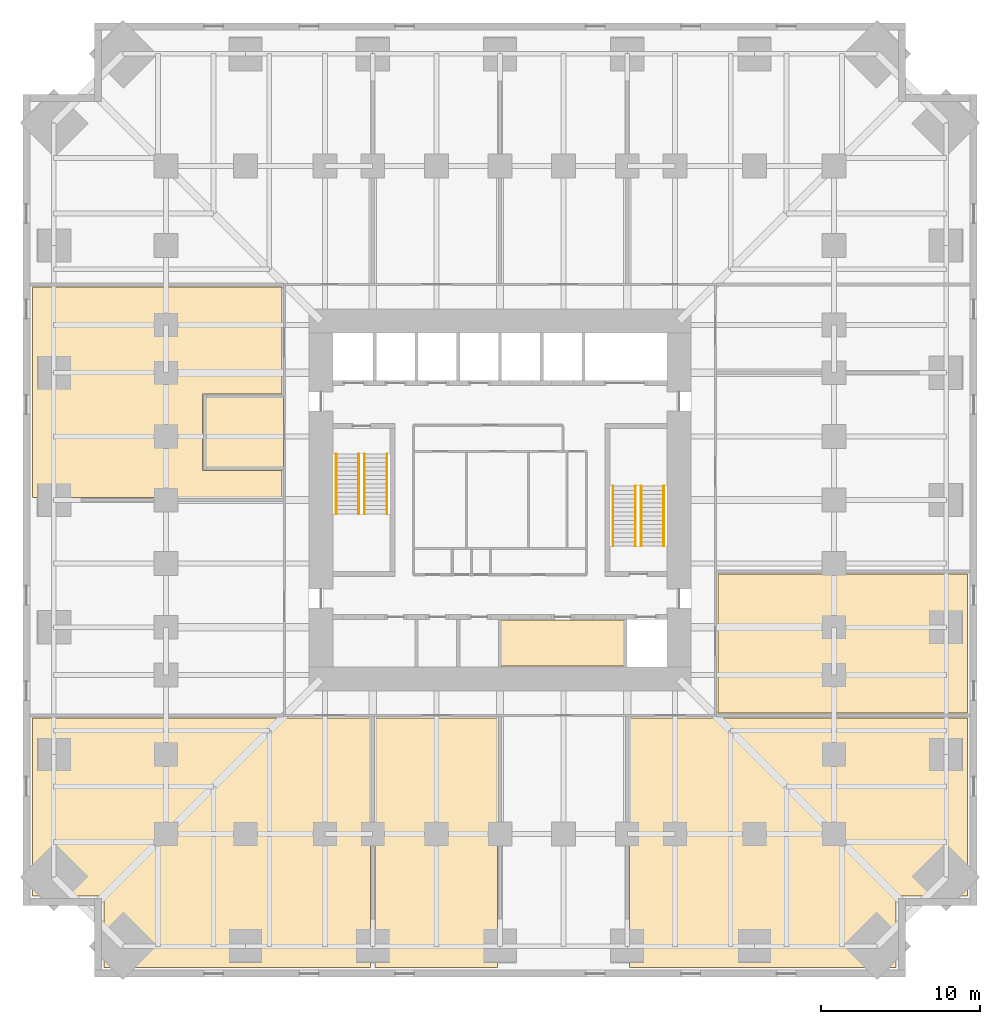
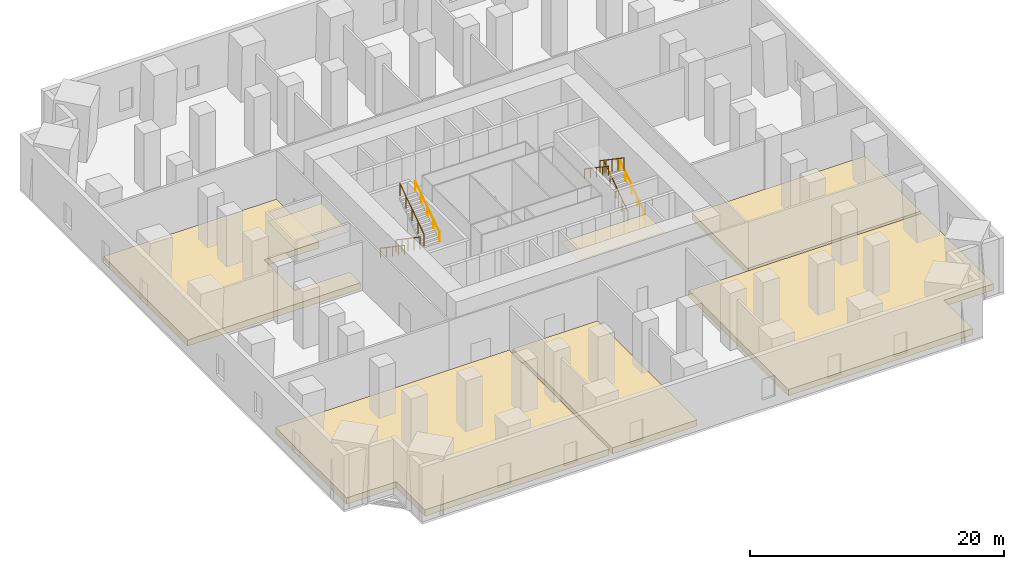
# One storey, part 8 of 8: 8 railings, 7 coverings.
"""IFC4 building model written with IfcOpenShell, lengths in metres."""

import ifcopenshell
import ifcopenshell.guid

model = None  # the IFC model being written
_history = None  # IfcOwnerHistory: only IFC2X3 demands one
_inside = {}  # id of a spatial element -> (the spatial element, [elements in it])
_under = {}  # id of a project, library or spatial element -> (it, [spatial elements below it])
_declared = {}  # id of a project -> (the project, [libraries it declares])
_typed = {}  # id of a type object -> (the type object, [elements of that type])
_made_of = {}  # id of a material, layer set ... -> (it, [elements and type objects made of it])


def new_model(schema):
    """Start an empty IFC model of exactly this schema.

    Asked for "IFC4X3", IfcOpenShell would pick the latest addendum, in which some entities
    have other attributes; the version numbers below select the first issue.
    IFC2X3 requires an IfcOwnerHistory on every rooted entity: one is made here for all.
    """
    global model, _history
    if schema == "IFC4X3":
        model = ifcopenshell.file(schema_version=(4, 3, 0, 0))
    else:
        model = ifcopenshell.file(schema=schema)
    _inside.clear()
    _under.clear()
    _declared.clear()
    _typed.clear()
    _made_of.clear()
    _history = None
    if model.schema == "IFC2X3":
        org = make("IfcOrganization", Name="unknown")
        user = make(
            "IfcPersonAndOrganization",
            ThePerson=make("IfcPerson", FamilyName="unknown"),
            TheOrganization=org,
        )
        app = make(
            "IfcApplication",
            ApplicationDeveloper=org,
            Version="unknown",
            ApplicationFullName="unknown",
            ApplicationIdentifier="unknown",
        )
        _history = make(
            "IfcOwnerHistory",
            OwningUser=user,
            OwningApplication=app,
            ChangeAction="ADDED",
            CreationDate=0,
        )
    return model


def make(cls, **values):
    """One entity of the class cls with the attributes given. An attribute that is None is left unset."""
    return model.create_entity(
        cls, **{name: value for name, value in values.items() if value is not None}
    )


def rooted(cls, **values):
    """An entity with a GlobalId (a new one), such as an element, a storey or a relation."""
    return make(cls, GlobalId=ifcopenshell.guid.new(), OwnerHistory=_history, **values)


def si_unit(unit_type, name, prefix=None):
    """IfcSIUnit, for example si_unit("LENGTHUNIT", "METRE", prefix="MILLI")."""
    return make("IfcSIUnit", UnitType=unit_type, Prefix=prefix, Name=name)


def assignment(units):
    """IfcUnitAssignment: the units of a project."""
    return None if units is None else make("IfcUnitAssignment", Units=units)


def point(xyz):
    """IfcCartesianPoint."""
    return None if xyz is None else make("IfcCartesianPoint", Coordinates=xyz)


def direction(xyz):
    """IfcDirection."""
    return None if xyz is None else make("IfcDirection", DirectionRatios=xyz)


def frame(location, z_axis=None, x_axis=None):
    """IfcAxis2Placement3D, a coordinate frame: its origin and axes. An axis left out is left unset."""
    return make(
        "IfcAxis2Placement3D",
        Location=point(location),
        Axis=direction(z_axis),
        RefDirection=direction(x_axis),
    )


def frame_2d(location, x_axis=None):
    """IfcAxis2Placement2D, a coordinate frame in the plane: its origin and x axis."""
    return make(
        "IfcAxis2Placement2D", Location=point(location), RefDirection=direction(x_axis)
    )


def origin():
    """The frame at (0, 0, 0) with its axes left unset."""
    return frame((0.0, 0.0, 0.0))


def origin_2d():
    """The frame at (0, 0) in the plane with its x axis left unset."""
    return frame_2d((0.0, 0.0))


def place(relative_to, where):
    """IfcLocalPlacement: puts the frame where relative to a parent placement (None: the world)."""
    return make(
        "IfcLocalPlacement", PlacementRelTo=relative_to, RelativePlacement=where
    )


def context(
    kind, dimensions, precision=None, world=None, true_north=None, identifier=None
):
    """IfcGeometricRepresentationContext, for example the 3D "Model" context."""
    return make(
        "IfcGeometricRepresentationContext",
        ContextIdentifier=identifier,
        ContextType=kind,
        CoordinateSpaceDimension=dimensions,
        Precision=precision,
        WorldCoordinateSystem=world,
        TrueNorth=true_north,
    )


def subcontext(parent, identifier, kind, view, scale=None):
    """IfcGeometricRepresentationSubContext, for example "Body" below "Model"."""
    return make(
        "IfcGeometricRepresentationSubContext",
        ContextIdentifier=identifier,
        ContextType=kind,
        ParentContext=parent,
        TargetScale=scale,
        TargetView=view,
    )


def project(units=None, contexts=None):
    """IfcProject with its units and contexts."""
    return rooted(
        "IfcProject",
        Name="project",
        RepresentationContexts=contexts,
        UnitsInContext=assignment(units),
    )


def spatial(cls, under=None, at=None, **own):
    """A site, building, storey or space (cls), placed at a placement, below another one or the project."""
    s = rooted(cls, ObjectPlacement=at, **own)
    if under is not None:
        _under.setdefault(under.id(), (under, []))[1].append(s)
    return s


def polyline(points):
    """IfcPolyline through the points."""
    return make("IfcPolyline", Points=[point(p) for p in points])


def profile(cls, at=None, kind="AREA", **sizes):
    """A parametric profile (cls). Its sizes go by their IFC names, for example OverallWidth=200.0."""
    return make(cls, ProfileType=kind, Position=at, **sizes)


def circle(**sizes):
    """IfcCircleProfileDef."""
    return profile("IfcCircleProfileDef", **sizes)


def outline(outer, holes=None, kind="AREA"):
    """IfcArbitraryClosedProfileDef: a profile drawn as a closed curve; with holes, ...WithVoids."""
    if holes is None:
        return make("IfcArbitraryClosedProfileDef", ProfileType=kind, OuterCurve=outer)
    return make(
        "IfcArbitraryProfileDefWithVoids",
        ProfileType=kind,
        OuterCurve=outer,
        InnerCurves=holes,
    )


def extrude(swept, where, along, depth):
    """IfcExtrudedAreaSolid: the profile swept, set in the frame where, extruded along a direction by depth."""
    return make(
        "IfcExtrudedAreaSolid",
        SweptArea=swept,
        Position=where,
        ExtrudedDirection=direction(along),
        Depth=depth,
    )


def shape(context_of_items, identifier, shape_type, items):
    """IfcShapeRepresentation: the items that make up one representation, for example the "Body"."""
    return make(
        "IfcShapeRepresentation",
        ContextOfItems=context_of_items,
        RepresentationIdentifier=identifier,
        RepresentationType=shape_type,
        Items=items,
    )


def material(Name=None, Category=None):
    """IfcMaterial."""
    return make("IfcMaterial", Name=Name, Category=Category)


def layer(
    of_material, thickness, ventilated=None, Name=None, Category=None, Priority=None
):
    """IfcMaterialLayer: one layer of a wall or slab, of a material (None: an air gap)."""
    return make(
        "IfcMaterialLayer",
        Material=of_material,
        LayerThickness=thickness,
        IsVentilated=ventilated,
        Name=Name,
        Category=Category,
        Priority=Priority,
    )


def layer_set(layers, Name=None):
    """IfcMaterialLayerSet."""
    return make("IfcMaterialLayerSet", MaterialLayers=layers, LayerSetName=Name)


def made_of(thing, what):
    """Note that an element or type object is made of a material, layer set ...; save() writes the relation."""
    if what is not None:
        _made_of.setdefault(what.id(), (what, []))[1].append(thing)
    return thing


def type_object(cls, material=None, **own):
    """A type object (cls), such as IfcWallType, which elements share."""
    return made_of(rooted(cls, **own), material)


def element(
    cls,
    number,
    at=None,
    inside=None,
    cuts=None,
    type_object=None,
    material=None,
    context=None,
    identifier="Body",
    shape_type=None,
    held_by="IfcProductDefinitionShape",
    body=None,
    shapes=None,
    **own,
):
    """One element of the class cls, such as IfcWall. Its Tag is "e" and its number.

    at: its placement. inside: the storey or other place that contains it. cuts: it is an
    opening in that element (IfcRelVoidsElement). A single representation is given by context,
    identifier, shape_type and body (its items); several are given by shapes. held_by: the class
    of the entity that holds the representations. save() writes the other relations.
    """
    e = rooted(cls, Tag="e%d" % number, ObjectPlacement=at, **own)
    if body is not None:
        shapes = [shape(context, identifier, shape_type, body)]
    if shapes is not None:
        e.Representation = make(held_by, Representations=shapes)
    if inside is not None:
        _inside.setdefault(inside.id(), (inside, []))[1].append(e)
    if cuts is not None:
        rooted(
            "IfcRelVoidsElement", RelatingBuildingElement=cuts, RelatedOpeningElement=e
        )
    if type_object is not None:
        _typed.setdefault(type_object.id(), (type_object, []))[1].append(e)
    return made_of(e, material)


def aggregate(whole, parts):
    """IfcRelAggregates: a whole, such as a stair, and the parts it consists of."""
    return rooted("IfcRelAggregates", RelatingObject=whole, RelatedObjects=parts)


def save(model, path):
    """Write the relations noted so far, then the file.

    IfcRelAggregates (storeys below a building ...), IfcRelContainedInSpatialStructure (elements
    in a storey), IfcRelDefinesByType, IfcRelAssociatesMaterial and IfcRelDeclares: one each for
    every whole, place, type object, material and project.
    """
    for whole, parts in _under.values():
        aggregate(whole, parts)
    for where, things in _inside.values():
        rooted(
            "IfcRelContainedInSpatialStructure",
            RelatedElements=things,
            RelatingStructure=where,
        )
    for kind, things in _typed.values():
        rooted("IfcRelDefinesByType", RelatedObjects=things, RelatingType=kind)
    for what, things in _made_of.values():
        rooted("IfcRelAssociatesMaterial", RelatedObjects=things, RelatingMaterial=what)
    for by, libraries in _declared.values():
        rooted("IfcRelDeclares", RelatingContext=by, RelatedDefinitions=libraries)
    model.write(path)


model = new_model("IFC4")

# Units and contexts
model_context = context("Model", 3, precision=1e-05, world=origin(), true_north=direction((0.0, 1.0)))
body_context = subcontext(model_context, "Body", "Model", "MODEL_VIEW")
ifc_project = project(units=[si_unit("LENGTHUNIT", "METRE"), si_unit("AREAUNIT", "SQUARE_METRE"), si_unit("VOLUMEUNIT", "CUBIC_METRE"), si_unit("PLANEANGLEUNIT", "RADIAN"), si_unit("MASSUNIT", "GRAM", prefix="KILO")], contexts=[model_context])

# Site, building, storey
site_placement = place(None, origin())
site = spatial("IfcSite", under=ifc_project, at=site_placement, CompositionType="ELEMENT")
building_placement = place(site_placement, origin())
building = spatial("IfcBuilding", under=site, at=building_placement, Name="Peilmerk Tower", CompositionType="ELEMENT")
storey_placement = place(building_placement, frame((0.0, 0.0, 70.5)))
storey = spatial("IfcBuildingStorey", under=building, at=storey_placement, Name="L13", CompositionType="ELEMENT", Elevation=70.5)

# Coverings
ifc_material_1 = material(Name="Mineral fibre ceiling tiles", Category="mineral")
ifc_layer_1 = layer(ifc_material_1, 0.02490234375)
ifc_layer_set_1 = layer_set([ifc_layer_1], Name="Mineral fibre ceiling tiles")
covering_type_1 = type_object("IfcCoveringType", Name="CL1 25 suspended ceiling", PredefinedType="CEILING", material=ifc_layer_set_1)
covering_1_placement = place(storey_placement, frame((0.0, 0.0, 4.324951171875)))
element("IfcCovering", 1, at=covering_1_placement, inside=storey, type_object=covering_type_1, Name="Suspended ceiling Operations office", PredefinedType="CEILING", context=body_context, shape_type="SweptSolid", body=[
    extrude(outline(polyline([(-13.60009765625, 2.050048828125), (-13.60009765625, 6.449951171875), (-18.5, 6.449951171875), (-18.5, 2.050048828125), (-13.60009765625, 2.050048828125)])), origin(), (0.0, 0.0, 1.0), 0.025146484375),
])
covering_2_placement = place(storey_placement, frame((0.0, 0.0, 4.324951171875)))
element("IfcCovering", 2, at=covering_2_placement, inside=storey, type_object=covering_type_1, Name="Suspended ceiling Back-of-house office", PredefinedType="CEILING", context=body_context, shape_type="SweptSolid", body=[
    extrude(outline(polyline([(0.051025390625, -10.448974609375), (7.823974609375, -10.448974609375), (7.823974609375, -7.551025390625), (0.051025390625, -7.551025390625), (0.051025390625, -10.448974609375)])), origin(), (0.0, 0.0, 1.0), 0.025146484375),
])

# Railings
ifc_material_2 = material(Name="Steel flat bar balustrade", Category="steel")
railing_type_1 = type_object("IfcRailingType", Name="GR1 1200 stair guard", PredefinedType="GUARDRAIL", material=ifc_material_2)
railing_1_placement = place(storey_placement, frame((-8.8798828125, 2.89990234375, 0.183349609375)))
element("IfcRailing", 3, at=railing_1_placement, inside=storey, type_object=railing_type_1, Name="Guard stair 1 L13", PredefinedType="GUARDRAIL", context=body_context, shape_type="SweptSolid", body=[
    extrude(circle(Radius=0.02392578125, at=origin_2d()), frame((0.0, 0.0, 1.17578125), z_axis=(0.0, -0.827293068839, 0.56177057439), x_axis=(1.0, 0.0, 0.0)), (0.0, 0.0, 1.0), 4.56884765625),
    extrude(circle(Radius=0.02099609375, at=origin_2d()), origin(), (0.0, 0.0, 1.0), 1.15185546875),
    extrude(circle(Radius=0.02099609375, at=origin_2d()), frame((0.0, -0.94482421875, 0.6416015625)), (0.0, 0.0, 1.0), 1.15185546875),
    extrude(circle(Radius=0.02099609375, at=origin_2d()), frame((0.0, -1.889892578125, 1.283203125)), (0.0, 0.0, 1.0), 1.15185546875),
    extrude(circle(Radius=0.02099609375, at=origin_2d()), frame((0.0, -2.8349609375, 1.925048828125)), (0.0, 0.0, 1.0), 1.15185546875),
    extrude(circle(Radius=0.02099609375, at=origin_2d()), frame((0.0, -3.77978515625, 2.566650390625)), (0.0, 0.0, 1.0), 1.15185546875),
])
for number, where, name in (
    (4, (-8.52001953125, -0.8798828125, 2.933349609375), "Guard stair 1 L13"),
    (5, (8.8798828125, -2.89990234375, 0.183349609375), "Guard stair 2 L13"),
):
    element("IfcRailing", number, at=place(storey_placement, frame(where)), inside=storey, type_object=railing_type_1, Name=name, PredefinedType="GUARDRAIL", context=body_context, shape_type="SweptSolid", body=[
        extrude(circle(Radius=0.02392578125, at=origin_2d()), frame((0.0, 0.0, 1.17578125), z_axis=(0.0, 0.827293068839, 0.56177057439), x_axis=(-1.0, 0.0, 0.0)), (0.0, 0.0, 1.0), 4.56884765625),
        extrude(circle(Radius=0.02099609375, at=origin_2d()), origin(), (0.0, 0.0, 1.0), 1.15185546875),
        extrude(circle(Radius=0.02099609375, at=origin_2d()), frame((0.0, 0.94482421875, 0.6416015625)), (0.0, 0.0, 1.0), 1.15185546875),
        extrude(circle(Radius=0.02099609375, at=origin_2d()), frame((0.0, 1.889892578125, 1.283203125)), (0.0, 0.0, 1.0), 1.15185546875),
        extrude(circle(Radius=0.02099609375, at=origin_2d()), frame((0.0, 2.8349609375, 1.925048828125)), (0.0, 0.0, 1.0), 1.15185546875),
        extrude(circle(Radius=0.02099609375, at=origin_2d()), frame((0.0, 3.77978515625, 2.566650390625)), (0.0, 0.0, 1.0), 1.15185546875),
    ])
railing_2_placement = place(storey_placement, frame((8.52001953125, 0.8798828125, 2.933349609375)))
element("IfcRailing", 6, at=railing_2_placement, inside=storey, type_object=railing_type_1, Name="Guard stair 2 L13", PredefinedType="GUARDRAIL", context=body_context, shape_type="SweptSolid", body=[
    extrude(circle(Radius=0.02392578125, at=origin_2d()), frame((0.0, 0.0, 1.17578125), z_axis=(0.0, -0.827293068839, 0.56177057439), x_axis=(1.0, 0.0, 0.0)), (0.0, 0.0, 1.0), 4.56884765625),
    extrude(circle(Radius=0.02099609375, at=origin_2d()), origin(), (0.0, 0.0, 1.0), 1.15185546875),
    extrude(circle(Radius=0.02099609375, at=origin_2d()), frame((0.0, -0.94482421875, 0.6416015625)), (0.0, 0.0, 1.0), 1.15185546875),
    extrude(circle(Radius=0.02099609375, at=origin_2d()), frame((0.0, -1.889892578125, 1.283203125)), (0.0, 0.0, 1.0), 1.15185546875),
    extrude(circle(Radius=0.02099609375, at=origin_2d()), frame((0.0, -2.8349609375, 1.925048828125)), (0.0, 0.0, 1.0), 1.15185546875),
    extrude(circle(Radius=0.02099609375, at=origin_2d()), frame((0.0, -3.77978515625, 2.566650390625)), (0.0, 0.0, 1.0), 1.15185546875),
])
ifc_material_3 = material(Name="Stainless steel tube", Category="steel")
railing_type_2 = type_object("IfcRailingType", Name="HR1 900 stair handrail", PredefinedType="HANDRAIL", material=ifc_material_3)
railing_3_placement = place(storey_placement, frame((-10.300048828125, 2.89990234375, 0.183349609375)))
element("IfcRailing", 7, at=railing_3_placement, inside=storey, type_object=railing_type_2, Name="Handrail stair 1 L13", PredefinedType="HANDRAIL", context=body_context, shape_type="SweptSolid", body=[
    extrude(circle(Radius=0.02392578125, at=origin_2d()), frame((0.0, 0.0, 0.8759765625), z_axis=(0.0, -0.827293068839, 0.56177057439), x_axis=(1.0, 0.0, 0.0)), (0.0, 0.0, 1.0), 4.56884765625),
    extrude(circle(Radius=0.02099609375, at=origin_2d()), origin(), (0.0, 0.0, 1.0), 0.851806640625),
    extrude(circle(Radius=0.02099609375, at=origin_2d()), frame((0.0, -0.94482421875, 0.6416015625)), (0.0, 0.0, 1.0), 0.851806640625),
    extrude(circle(Radius=0.02099609375, at=origin_2d()), frame((0.0, -1.889892578125, 1.283203125)), (0.0, 0.0, 1.0), 0.851806640625),
    extrude(circle(Radius=0.02099609375, at=origin_2d()), frame((0.0, -2.8349609375, 1.925048828125)), (0.0, 0.0, 1.0), 0.851806640625),
    extrude(circle(Radius=0.02099609375, at=origin_2d()), frame((0.0, -3.77978515625, 2.566650390625)), (0.0, 0.0, 1.0), 0.851806640625),
])
for number, where, name in (
    (8, (-7.10009765625, -0.8798828125, 2.933349609375), "Handrail stair 1 L13"),
    (9, (10.300048828125, -2.89990234375, 0.183349609375), "Handrail stair 2 L13"),
):
    element("IfcRailing", number, at=place(storey_placement, frame(where)), inside=storey, type_object=railing_type_2, Name=name, PredefinedType="HANDRAIL", context=body_context, shape_type="SweptSolid", body=[
        extrude(circle(Radius=0.02392578125, at=origin_2d()), frame((0.0, 0.0, 0.8759765625), z_axis=(0.0, 0.827293068839, 0.56177057439), x_axis=(-1.0, 0.0, 0.0)), (0.0, 0.0, 1.0), 4.56884765625),
        extrude(circle(Radius=0.02099609375, at=origin_2d()), origin(), (0.0, 0.0, 1.0), 0.851806640625),
        extrude(circle(Radius=0.02099609375, at=origin_2d()), frame((0.0, 0.94482421875, 0.6416015625)), (0.0, 0.0, 1.0), 0.851806640625),
        extrude(circle(Radius=0.02099609375, at=origin_2d()), frame((0.0, 1.889892578125, 1.283203125)), (0.0, 0.0, 1.0), 0.851806640625),
        extrude(circle(Radius=0.02099609375, at=origin_2d()), frame((0.0, 2.8349609375, 1.925048828125)), (0.0, 0.0, 1.0), 0.851806640625),
        extrude(circle(Radius=0.02099609375, at=origin_2d()), frame((0.0, 3.77978515625, 2.566650390625)), (0.0, 0.0, 1.0), 0.851806640625),
    ])
railing_4_placement = place(storey_placement, frame((7.10009765625, 0.8798828125, 2.933349609375)))
element("IfcRailing", 10, at=railing_4_placement, inside=storey, type_object=railing_type_2, Name="Handrail stair 2 L13", PredefinedType="HANDRAIL", context=body_context, shape_type="SweptSolid", body=[
    extrude(circle(Radius=0.02392578125, at=origin_2d()), frame((0.0, 0.0, 0.8759765625), z_axis=(0.0, -0.827293068839, 0.56177057439), x_axis=(1.0, 0.0, 0.0)), (0.0, 0.0, 1.0), 4.56884765625),
    extrude(circle(Radius=0.02099609375, at=origin_2d()), origin(), (0.0, 0.0, 1.0), 0.851806640625),
    extrude(circle(Radius=0.02099609375, at=origin_2d()), frame((0.0, -0.94482421875, 0.6416015625)), (0.0, 0.0, 1.0), 0.851806640625),
    extrude(circle(Radius=0.02099609375, at=origin_2d()), frame((0.0, -1.889892578125, 1.283203125)), (0.0, 0.0, 1.0), 0.851806640625),
    extrude(circle(Radius=0.02099609375, at=origin_2d()), frame((0.0, -2.8349609375, 1.925048828125)), (0.0, 0.0, 1.0), 0.851806640625),
    extrude(circle(Radius=0.02099609375, at=origin_2d()), frame((0.0, -3.77978515625, 2.566650390625)), (0.0, 0.0, 1.0), 0.851806640625),
])

# Coverings
ifc_material_4 = material(Name="Steel raised access floor panels on pedestals", Category="steel")
ifc_layer_2 = layer(ifc_material_4, 0.60009765625)
ifc_layer_set_2 = layer_set([ifc_layer_2], Name="Steel raised access floor panels on pedestals")
covering_type_2 = type_object("IfcCoveringType", Name="RF1 600 raised access floor", PredefinedType="FLOORING", material=ifc_layer_set_2)
covering_3_placement = place(storey_placement, origin())
element("IfcCovering", 11, at=covering_3_placement, inside=storey, type_object=covering_type_2, Name="Raised access floor Computer room C", PredefinedType="FLOORING", context=body_context, shape_type="SweptSolid", body=[
    extrude(outline(polyline([(-24.89990234375, -29.39990234375), (-8.14990234375, -29.39990234375), (-8.14990234375, -13.699951171875), (-29.39990234375, -13.699951171875), (-29.39990234375, -24.89990234375), (-24.89990234375, -24.89990234375), (-24.89990234375, -29.39990234375)])), origin(), (0.0, 0.0, 1.0), 0.60009765625),
])
covering_4_placement = place(storey_placement, origin())
element("IfcCovering", 12, at=covering_4_placement, inside=storey, type_object=covering_type_2, Name="Raised access floor Network room", PredefinedType="FLOORING", context=body_context, shape_type="SweptSolid", body=[
    extrude(outline(polyline([(-7.85009765625, -29.39990234375), (-0.14990234375, -29.39990234375), (-0.14990234375, -13.699951171875), (-7.85009765625, -13.699951171875), (-7.85009765625, -29.39990234375)])), origin(), (0.0, 0.0, 1.0), 0.60009765625),
])
covering_5_placement = place(storey_placement, origin())
element("IfcCovering", 13, at=covering_5_placement, inside=storey, type_object=covering_type_2, Name="Raised access floor Computer room D", PredefinedType="FLOORING", context=body_context, shape_type="SweptSolid", body=[
    extrude(outline(polyline([(8.14990234375, -29.39990234375), (24.89990234375, -29.39990234375), (24.89990234375, -24.89990234375), (29.39990234375, -24.89990234375), (29.39990234375, -13.699951171875), (8.14990234375, -13.699951171875), (8.14990234375, -29.39990234375)])), origin(), (0.0, 0.0, 1.0), 0.60009765625),
])
covering_6_placement = place(storey_placement, origin())
element("IfcCovering", 14, at=covering_6_placement, inside=storey, type_object=covering_type_2, Name="Raised access floor UPS room", PredefinedType="FLOORING", context=body_context, shape_type="SweptSolid", body=[
    extrude(outline(polyline([(29.39990234375, -13.39990234375), (29.39990234375, -4.64990234375), (13.699951171875, -4.64990234375), (13.699951171875, -13.39990234375), (29.39990234375, -13.39990234375)])), origin(), (0.0, 0.0, 1.0), 0.60009765625),
])
covering_7_placement = place(storey_placement, origin())
element("IfcCovering", 15, at=covering_7_placement, inside=storey, type_object=covering_type_2, Name="Raised access floor UPS room", PredefinedType="FLOORING", context=body_context, shape_type="SweptSolid", body=[
    extrude(outline(polyline([(-13.699951171875, 13.39990234375), (-29.39990234375, 13.39990234375), (-29.39990234375, 0.14990234375), (-13.699951171875, 0.14990234375), (-13.699951171875, 1.85009765625), (-18.699951171875, 1.85009765625), (-18.699951171875, 6.64990234375), (-13.699951171875, 6.64990234375), (-13.699951171875, 13.39990234375)])), origin(), (0.0, 0.0, 1.0), 0.60009765625),
])

save(model, "model.ifc")
